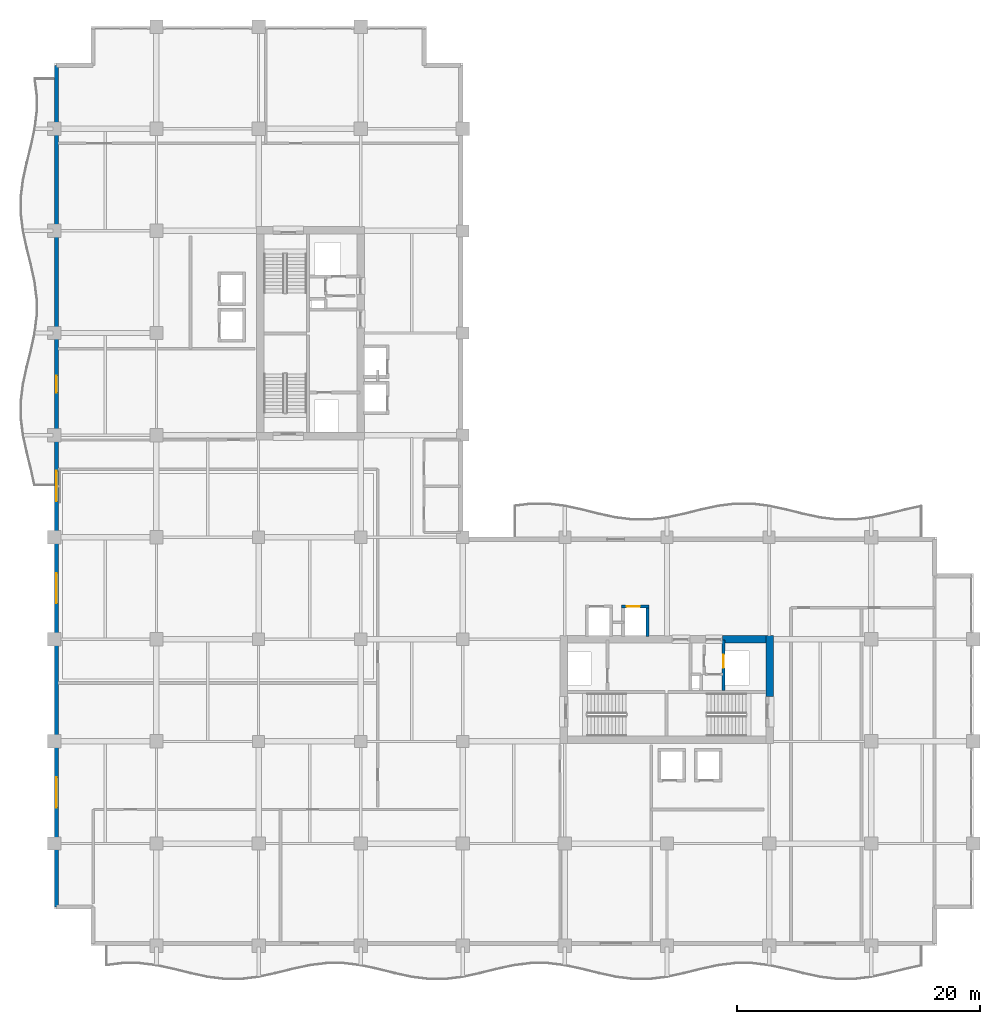
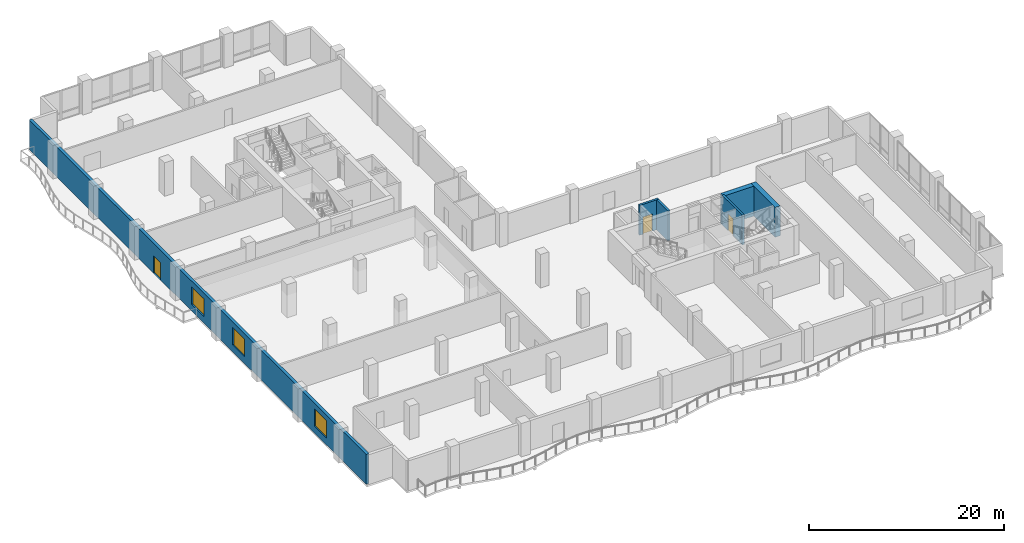
# One storey, part 12 of 21: 6 walls, 3 doors, 3 windows, 6 openings.
"""IFC4 building model written with IfcOpenShell, lengths in metres."""

from ifc_helpers import new_model, si_unit, direction, frame, frame_2d, origin, place, context, subcontext, project, spatial, rectangle, extrude, material, layer, layer_set, type_object, element, fill, save


model = new_model("IFC4")

# Units and contexts
model_context = context("Model", 3, precision=1e-05, world=origin(), true_north=direction((0.0, 1.0)))
body_context = subcontext(model_context, "Body", "Model", "MODEL_VIEW")
ifc_project = project(units=[si_unit("LENGTHUNIT", "METRE"), si_unit("AREAUNIT", "SQUARE_METRE"), si_unit("VOLUMEUNIT", "CUBIC_METRE"), si_unit("PLANEANGLEUNIT", "RADIAN"), si_unit("MASSUNIT", "GRAM", prefix="KILO")], contexts=[model_context])

# Site, building, storey
site_placement = place(None, origin())
site = spatial("IfcSite", under=ifc_project, at=site_placement, CompositionType="ELEMENT")
building_placement = place(site_placement, origin())
building = spatial("IfcBuilding", under=site, at=building_placement, Name="Koriwani Terraces Tower", CompositionType="ELEMENT")
storey_placement = place(building_placement, frame((0.0, 0.0, 224.0)))
storey = spatial("IfcBuildingStorey", under=building, at=storey_placement, Name="L55", CompositionType="ELEMENT", Elevation=224.0)

# Walls
ifc_material_1 = material(Name="Concrete C60/75", Category="concrete")
ifc_layer_1 = layer(ifc_material_1, 0.60009765625, Name="Concrete C60/75")
ifc_layer_set_1 = layer_set([ifc_layer_1], Name="Concrete C60/75")
wall_type_1 = type_object("IfcWallType", Name="WALL_CORE_RC_600", PredefinedType="SHEAR", material=ifc_layer_set_1)
wall_1_placement = place(storey_placement, frame((58.85009765625, 20.5, 0.0), z_axis=(0.0, 0.0, 1.0), x_axis=(0.0, 1.0, 0.0)))
element("IfcWall", 1, at=wall_1_placement, inside=storey, type_object=wall_type_1, Name="L55 East Split Core Shear Wall E2", PredefinedType="SHEAR", context=body_context, shape_type="SweptSolid", body=[
    extrude(rectangle(XDim=5.0, YDim=0.60009765625, at=frame_2d((2.5, 0.0))), origin(), (0.0, 0.0, 1.0), 3.75),
])
wall_2_placement = place(storey_placement, frame((54.949951171875, 25.199951171875, 0.0), z_axis=(0.0, 0.0, 1.0), x_axis=(1.0, 0.0, 0.0)))
element("IfcWall", 2, at=wall_2_placement, inside=storey, type_object=wall_type_1, Name="L55 East Split Core Shear Wall N3", PredefinedType="SHEAR", context=body_context, shape_type="SweptSolid", body=[
    extrude(rectangle(XDim=3.60009765625, YDim=0.60009765625, at=frame_2d((1.800048828125, 0.0))), origin(), (0.0, 0.0, 1.0), 3.75),
])

# Wall, openings, door, windows
ifc_material_2 = material(Name="Concrete C50/60", Category="concrete")
ifc_layer_2 = layer(ifc_material_2, 0.35009765625, Name="Concrete C50/60")
ifc_layer_set_2 = layer_set([ifc_layer_2], Name="Concrete C50/60")
wall_type_2 = type_object("IfcWallType", Name="WALL_EXT_BRUTALIST_350", PredefinedType="STANDARD", material=ifc_layer_set_2)
wall_3_placement = place(storey_placement, frame((0.175048828125, 3.175048828125, 0.0), z_axis=(0.0, 0.0, 1.0), x_axis=(0.0, 1.0, 0.0)))
wall_3 = element("IfcWall", 3, at=wall_3_placement, inside=storey, type_object=wall_type_2, Name="L55 Fair-Faced Brutalist Exterior Wall (W)", PredefinedType="STANDARD", context=body_context, shape_type="SweptSolid", body=[
    extrude(rectangle(XDim=69.25, YDim=0.35009765625, at=frame_2d((34.625, 0.0))), origin(), (0.0, 0.0, 1.0), 3.75),
])
opening_1_placement = place(wall_3_placement, frame((42.324951171875, 0.0, 0.0)))
opening_1 = element("IfcOpeningElement", 4, at=opening_1_placement, cuts=wall_3, Name="Opening D-09", PredefinedType="OPENING", context=body_context, shape_type="SweptSolid", body=[
    extrude(rectangle(XDim=1.39990234375, YDim=2.199951171875, at=frame_2d((0.699951171875, 1.10009765625))), frame((0.0, 0.18505859375, 0.0), z_axis=(0.0, -1.0, 0.0), x_axis=(1.0, 0.0, 0.0)), (0.0, 0.0, 1.0), 0.3701171875),
])
opening_2_placement = place(wall_3_placement, frame((8.175048828125, 0.0, 0.85009765625)))
opening_2 = element("IfcOpeningElement", 5, at=opening_2_placement, cuts=wall_3, Name="Opening W-07", PredefinedType="OPENING", context=body_context, shape_type="SweptSolid", body=[
    extrude(rectangle(XDim=2.5, YDim=2.199951171875, at=frame_2d((1.25, 1.10009765625))), frame((0.0, 0.18505859375, 0.0), z_axis=(0.0, -1.0, 0.0), x_axis=(1.0, 0.0, 0.0)), (0.0, 0.0, 1.0), 0.3701171875),
])
opening_3_placement = place(wall_3_placement, frame((24.97509765625, 0.0, 0.85009765625)))
opening_3 = element("IfcOpeningElement", 6, at=opening_3_placement, cuts=wall_3, Name="Opening W-07", PredefinedType="OPENING", context=body_context, shape_type="SweptSolid", body=[
    extrude(rectangle(XDim=2.5, YDim=2.199951171875, at=frame_2d((1.25, 1.10009765625))), frame((0.0, 0.18505859375, 0.0), z_axis=(0.0, -1.0, 0.0), x_axis=(1.0, 0.0, 0.0)), (0.0, 0.0, 1.0), 0.3701171875),
])
opening_4_placement = place(wall_3_placement, frame((33.375, 0.0, 0.85009765625)))
opening_4 = element("IfcOpeningElement", 7, at=opening_4_placement, cuts=wall_3, Name="Opening W-07", PredefinedType="OPENING", context=body_context, shape_type="SweptSolid", body=[
    extrude(rectangle(XDim=2.5, YDim=2.199951171875, at=frame_2d((1.25, 1.10009765625))), frame((0.0, 0.18505859375, 0.0), z_axis=(0.0, -1.0, 0.0), x_axis=(1.0, 0.0, 0.0)), (0.0, 0.0, 1.0), 0.3701171875),
])
ifc_material_3 = material(Name="Anodised Bronze Aluminium", Category="aluminium")
door_type_1 = type_object("IfcDoorType", Name="DOOR_BALCONY_GLAZED_1400X2200", OperationType="NOTDEFINED", PredefinedType="DOOR", material=ifc_material_3)
door_1_placement = place(opening_1_placement, origin())
door_1 = element("IfcDoor", 8, at=door_1_placement, inside=storey, type_object=door_type_1, Name="L55 West Balcony Glazed Door", OperationType="SINGLE_SWING_LEFT", OverallHeight=2.199951171875, OverallWidth=1.39990234375, PredefinedType="DOOR", context=body_context, shape_type="SweptSolid", body=[
    extrude(rectangle(XDim=1.39990234375, YDim=2.199951171875, at=frame_2d((0.699951171875, 1.10009765625))), frame((0.0, 0.02490234375, 0.0), z_axis=(0.0, -1.0, 0.0), x_axis=(1.0, 0.0, 0.0)), (0.0, 0.0, 1.0), 0.050048828125),
])
fill(opening_1, door_1)
ifc_material_4 = material(Name="Tempered Laminated Low-E Glass", Category="glass")
window_type = type_object("IfcWindowType", Name="WIN_SKY_LOUNGE_2500X2200", PartitioningType="SINGLE_PANEL", PredefinedType="WINDOW", material=ifc_material_4)
window_1_placement = place(opening_2_placement, origin())
window_1 = element("IfcWindow", 9, at=window_1_placement, inside=storey, type_object=window_type, Name="L55 Exterior Window (W-3)", OverallHeight=2.199951171875, OverallWidth=2.5, PartitioningType="SINGLE_PANEL", PredefinedType="WINDOW", context=body_context, shape_type="SweptSolid", body=[
    extrude(rectangle(XDim=2.5, YDim=2.199951171875, at=frame_2d((1.25, 1.10009765625))), frame((0.0, 0.030029296875, 0.0), z_axis=(0.0, -1.0, 0.0), x_axis=(1.0, 0.0, 0.0)), (0.0, 0.0, 1.0), 0.06005859375),
])
fill(opening_2, window_1)
window_2_placement = place(opening_3_placement, origin())
window_2 = element("IfcWindow", 10, at=window_2_placement, inside=storey, type_object=window_type, Name="L55 Exterior Window (W-9)", OverallHeight=2.199951171875, OverallWidth=2.5, PartitioningType="SINGLE_PANEL", PredefinedType="WINDOW", context=body_context, shape_type="SweptSolid", body=[
    extrude(rectangle(XDim=2.5, YDim=2.199951171875, at=frame_2d((1.25, 1.10009765625))), frame((0.0, 0.030029296875, 0.0), z_axis=(0.0, -1.0, 0.0), x_axis=(1.0, 0.0, 0.0)), (0.0, 0.0, 1.0), 0.06005859375),
])
fill(opening_3, window_2)
window_3_placement = place(opening_4_placement, origin())
window_3 = element("IfcWindow", 11, at=window_3_placement, inside=storey, type_object=window_type, Name="L55 Exterior Window (W-12)", OverallHeight=2.199951171875, OverallWidth=2.5, PartitioningType="SINGLE_PANEL", PredefinedType="WINDOW", context=body_context, shape_type="SweptSolid", body=[
    extrude(rectangle(XDim=2.5, YDim=2.199951171875, at=frame_2d((1.25, 1.10009765625))), frame((0.0, 0.030029296875, 0.0), z_axis=(0.0, -1.0, 0.0), x_axis=(1.0, 0.0, 0.0)), (0.0, 0.0, 1.0), 0.06005859375),
])
fill(opening_4, window_3)

# Wall, opening, door
ifc_material_5 = material(Name="Concrete C40/50", Category="concrete")
ifc_layer_3 = layer(ifc_material_5, 0.25, Name="Concrete C40/50")
ifc_layer_set_3 = layer_set([ifc_layer_3], Name="Concrete C40/50")
wall_type_3 = type_object("IfcWallType", Name="WALL_SHAFT_RATED_250", PredefinedType="SOLIDWALL", material=ifc_layer_set_3)
wall_4_placement = place(storey_placement, frame((55.050048828125, 21.0, 0.0), z_axis=(0.0, 0.0, 1.0), x_axis=(0.0, 1.0, 0.0)))
wall_4 = element("IfcWall", 12, at=wall_4_placement, inside=storey, type_object=wall_type_3, Name="L55 Interior Wall WIN-CE-L55-SE", PredefinedType="SOLIDWALL", context=body_context, shape_type="SweptSolid", body=[
    extrude(rectangle(XDim=4.14990234375, YDim=0.25, at=frame_2d((2.074951171875, 0.0))), origin(), (0.0, 0.0, 1.0), 3.75),
])
opening_5_placement = place(wall_4_placement, frame((1.85009765625, 0.0, 0.0)))
opening_5 = element("IfcOpeningElement", 13, at=opening_5_placement, cuts=wall_4, Name="Opening LD-01", PredefinedType="OPENING", context=body_context, shape_type="SweptSolid", body=[
    extrude(rectangle(XDim=1.10009765625, YDim=2.14990234375, at=frame_2d((0.550048828125, 1.074951171875))), frame((0.0, 0.135009765625, 0.0), z_axis=(0.0, -1.0, 0.0), x_axis=(1.0, 0.0, 0.0)), (0.0, 0.0, 1.0), 0.27001953125),
])
ifc_material_6 = material(Name="Steel ASTM A572 Grade 50", Category="steel")
door_type_2 = type_object("IfcDoorType", Name="DOOR_LIFT_LANDING_1100X2200", OperationType="NOTDEFINED", PredefinedType="DOOR", material=ifc_material_6)
door_2_placement = place(opening_5_placement, origin())
door_2 = element("IfcDoor", 14, at=door_2_placement, inside=storey, type_object=door_type_2, Name="L55 Goods Lift SE-02 Landing Door", OperationType="SLIDING_TO_LEFT", OverallHeight=2.14990234375, OverallWidth=1.10009765625, PredefinedType="DOOR", context=body_context, shape_type="SweptSolid", body=[
    extrude(rectangle(XDim=1.10009765625, YDim=2.14990234375, at=frame_2d((0.550048828125, 1.074951171875))), frame((0.0, 0.02490234375, 0.0), z_axis=(0.0, -1.0, 0.0), x_axis=(1.0, 0.0, 0.0)), (0.0, 0.0, 1.0), 0.050048828125),
])
fill(opening_5, door_2)

wall_5_placement = place(storey_placement, frame((46.675048828125, 27.89990234375, 0.0), z_axis=(0.0, 0.0, 1.0), x_axis=(1.0, 0.0, 0.0)))
wall_5 = element("IfcWall", 15, at=wall_5_placement, inside=storey, type_object=wall_type_3, Name="L55 Interior Wall WIN-LF-PE-H4-L55-F", PredefinedType="SOLIDWALL", context=body_context, shape_type="SweptSolid", body=[
    extrude(rectangle(XDim=2.25, YDim=0.25, at=frame_2d((1.125, 0.0))), origin(), (0.0, 0.0, 1.0), 3.75),
])
opening_6_placement = place(wall_5_placement, frame((0.39990234375, 0.0, 0.0)))
opening_6 = element("IfcOpeningElement", 16, at=opening_6_placement, cuts=wall_5, Name="Opening LD-01", PredefinedType="OPENING", context=body_context, shape_type="SweptSolid", body=[
    extrude(rectangle(XDim=1.10009765625, YDim=2.14990234375, at=frame_2d((0.550048828125, 1.074951171875))), frame((0.0, 0.135009765625, 0.0), z_axis=(0.0, -1.0, 0.0), x_axis=(1.0, 0.0, 0.0)), (0.0, 0.0, 1.0), 0.27001953125),
])
door_3_placement = place(opening_6_placement, origin())
door_3 = element("IfcDoor", 17, at=door_3_placement, inside=storey, type_object=door_type_2, Name="L55 Passenger Lift PE-H4 Landing Door", OperationType="SLIDING_TO_LEFT", OverallHeight=2.14990234375, OverallWidth=1.10009765625, PredefinedType="DOOR", context=body_context, shape_type="SweptSolid", body=[
    extrude(rectangle(XDim=1.10009765625, YDim=2.14990234375, at=frame_2d((0.550048828125, 1.074951171875))), frame((0.0, 0.02490234375, 0.0), z_axis=(0.0, -1.0, 0.0), x_axis=(1.0, 0.0, 0.0)), (0.0, 0.0, 1.0), 0.050048828125),
])
fill(opening_6, door_3)

# Wall
wall_6_placement = place(storey_placement, frame((48.800048828125, 25.449951171875, 0.0), z_axis=(0.0, 0.0, 1.0), x_axis=(0.0, 1.0, 0.0)))
element("IfcWall", 18, at=wall_6_placement, inside=storey, type_object=wall_type_3, Name="L55 Interior Wall WIN-LF-PE-H4-L55-E", PredefinedType="SOLIDWALL", context=body_context, shape_type="SweptSolid", body=[
    extrude(rectangle(XDim=2.324951171875, YDim=0.25, at=frame_2d((1.16259765625, 0.0))), origin(), (0.0, 0.0, 1.0), 3.75),
])

save(model, "model.ifc")
